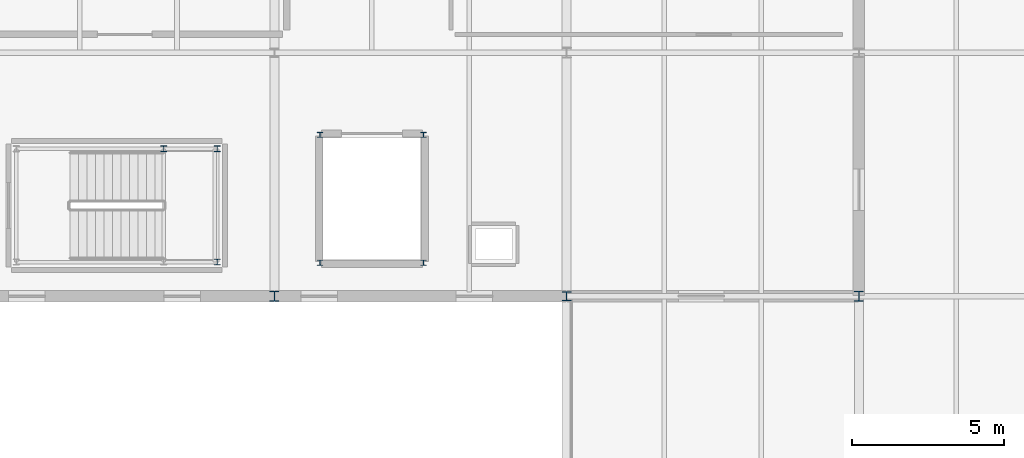
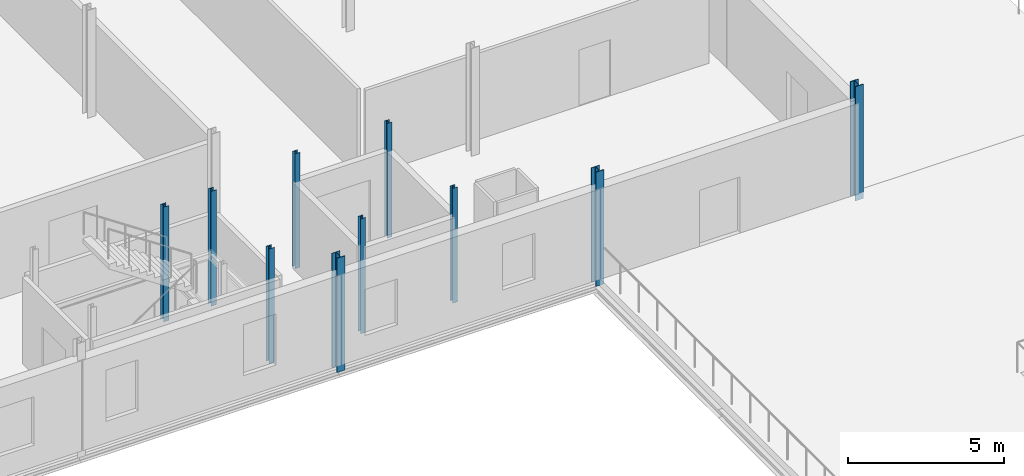
# One storey, part 16 of 73: 10 columns.
"""IFC4 building model written with IfcOpenShell, lengths in metres."""

from ifc_helpers import new_model, si_unit, direction, frame, origin, origin_2d, place, context, subcontext, project, spatial, i_section, extrude, material, material_profile, profile_set, type_object, element, save


model = new_model("IFC4")

# Units and contexts
model_context = context("Model", 3, precision=1e-05, world=origin(), true_north=direction((0.0, 1.0)))
body_context = subcontext(model_context, "Body", "Model", "MODEL_VIEW")
ifc_project = project(units=[si_unit("LENGTHUNIT", "METRE"), si_unit("AREAUNIT", "SQUARE_METRE"), si_unit("VOLUMEUNIT", "CUBIC_METRE"), si_unit("PLANEANGLEUNIT", "RADIAN"), si_unit("MASSUNIT", "GRAM", prefix="KILO")], contexts=[model_context])

# Site, building, storey
site_placement = place(None, origin())
site = spatial("IfcSite", under=ifc_project, at=site_placement, CompositionType="ELEMENT")
building_placement = place(site_placement, origin())
building = spatial("IfcBuilding", under=site, at=building_placement, Name="Alderhovde Museum", CompositionType="ELEMENT")
storey_placement = place(building_placement, frame((0.0, 0.0, 12.89990234375)))
storey = spatial("IfcBuildingStorey", under=building, at=storey_placement, Name="L03", CompositionType="ELEMENT", Elevation=12.89990234375)

# Columns
ifc_material_1 = material(Name="Steel S355J2", Category="steel")
ifc_material_profile_1 = material_profile(ifc_material_1, i_section(OverallWidth=0.179931640625, OverallDepth=0.1708984375, WebThickness=0.006103515625, FlangeThickness=0.009521484375, FilletRadius=0.014892578125, at=origin_2d()), Name="HEA 180")
ifc_profile_set_1 = profile_set([ifc_material_profile_1], Name="Steel S355J2")
column_type_1 = type_object("IfcColumnType", Name="COL-HEA180", PredefinedType="COLUMN", material=ifc_profile_set_1)
for number, where, z_axis, x_axis, name in (
    (1, (135.89990234375, 73.10009765625, 0.0), (0.0, 0.0, 1.0), (1.0, 0.0, 0.0), "L03 Lift GL-01 Shaft Column 1"),
    (2, (139.300048828125, 73.10009765625, 0.0), (0.0, 0.0, 1.0), (1.0, 0.0, 0.0), "L03 Lift GL-01 Shaft Column 2"),
    (3, (139.300048828125, 77.300048828125, 0.0), (0.0, 0.0, 1.0), (1.0, 0.0, 0.0), "L03 Lift GL-01 Shaft Column 3"),
    (4, (135.89990234375, 77.300048828125, 0.0), (0.0, 0.0, 1.0), (1.0, 0.0, 0.0), "L03 Lift GL-01 Shaft Column 4"),
):
    element("IfcColumn", number, at=place(storey_placement, frame(where, z_axis=z_axis, x_axis=x_axis)), inside=storey, type_object=column_type_1, Name=name, PredefinedType="COLUMN", context=body_context, shape_type="SweptSolid", body=[
        extrude(i_section(OverallWidth=0.179931640625, OverallDepth=0.1708984375, WebThickness=0.006103515625, FlangeThickness=0.009521484375, FilletRadius=0.014892578125, at=origin_2d()), origin(), (0.0, 0.0, 1.0), 4.5),
    ])
ifc_material_2 = material(Name="Steel S355J2", Category="steel")
ifc_material_profile_2 = material_profile(ifc_material_2, i_section(OverallWidth=0.199951171875, OverallDepth=0.18994140625, WebThickness=0.006591796875, FlangeThickness=0.010009765625, FilletRadius=0.01806640625, at=origin_2d()), Name="HEA 200")
ifc_profile_set_2 = profile_set([ifc_material_profile_2], Name="Steel S355J2")
column_type_2 = type_object("IfcColumnType", Name="COL-HEA200", PredefinedType="COLUMN", material=ifc_profile_set_2)
for number, where, z_axis, x_axis, name in (
    (5, (132.52001953125, 73.1201171875, 0.0), (0.0, 0.0, 1.0), (1.0, 0.0, 0.0), "L03 Stair ST4 Shaft Column 2"),
    (6, (132.52001953125, 76.840087890625, 0.0), (0.0, 0.0, 1.0), (1.0, 0.0, 0.0), "L03 Stair ST4 Shaft Column 3"),
    (7, (130.760009765625, 76.840087890625, 0.0), (0.0, 0.0, 1.0), (1.0, 0.0, 0.0), "L03 Stair ST4 Shaft Column 6"),
):
    element("IfcColumn", number, at=place(storey_placement, frame(where, z_axis=z_axis, x_axis=x_axis)), inside=storey, type_object=column_type_2, Name=name, PredefinedType="COLUMN", context=body_context, shape_type="SweptSolid", body=[
        extrude(i_section(OverallWidth=0.199951171875, OverallDepth=0.18994140625, WebThickness=0.006591796875, FlangeThickness=0.010009765625, FilletRadius=0.01806640625, at=origin_2d()), origin(), (0.0, 0.0, 1.0), 4.5),
    ])
ifc_material_3 = material(Name="Steel S355J2", Category="steel")
ifc_material_profile_3 = material_profile(ifc_material_3, i_section(OverallWidth=0.300048828125, OverallDepth=0.300048828125, WebThickness=0.010986328125, FlangeThickness=0.01904296875, FilletRadius=0.027099609375, at=origin_2d()), Name="HEB 300")
ifc_profile_set_3 = profile_set([ifc_material_profile_3], Name="Steel S355J2")
column_type_3 = type_object("IfcColumnType", Name="COL-HEB300", PredefinedType="COLUMN", material=ifc_profile_set_3)
column_placement = place(storey_placement, frame((144.0, 72.0, -0.260009765625), z_axis=(0.0, 0.0, 1.0), x_axis=(1.0, 0.0, 0.0)))
element("IfcColumn", 8, at=column_placement, inside=storey, type_object=column_type_3, Name="L03 Column (144.0, 72.0)", PredefinedType="COLUMN", context=body_context, shape_type="SweptSolid", body=[
    extrude(i_section(OverallWidth=0.300048828125, OverallDepth=0.300048828125, WebThickness=0.010986328125, FlangeThickness=0.01904296875, FilletRadius=0.027099609375, at=origin_2d()), origin(), (0.0, 0.0, 1.0), 4.480224609375),
])
ifc_material_4 = material(Name="Steel S355J2", Category="steel")
ifc_material_profile_4 = material_profile(ifc_material_4, i_section(OverallWidth=0.300048828125, OverallDepth=0.340087890625, WebThickness=0.011962890625, FlangeThickness=0.021484375, FilletRadius=0.027099609375, at=origin_2d()), Name="HEB 340")
ifc_profile_set_4 = profile_set([ifc_material_profile_4], Name="Steel S355J2")
column_type_4 = type_object("IfcColumnType", Name="COL-HEB340", PredefinedType="COLUMN", material=ifc_profile_set_4)
for number, where, z_axis, x_axis, name in (
    (9, (134.39990234375, 72.0, -0.260009765625), (0.0, 0.0, 1.0), (1.0, 0.0, 0.0), "L03 Column (134.4, 72.0)"),
    (10, (153.60009765625, 72.0, -0.260009765625), (0.0, 0.0, 1.0), (1.0, 0.0, 0.0), "L03 Column (153.6, 72.0)"),
):
    element("IfcColumn", number, at=place(storey_placement, frame(where, z_axis=z_axis, x_axis=x_axis)), inside=storey, type_object=column_type_4, Name=name, PredefinedType="COLUMN", context=body_context, shape_type="SweptSolid", body=[
        extrude(i_section(OverallWidth=0.300048828125, OverallDepth=0.340087890625, WebThickness=0.011962890625, FlangeThickness=0.021484375, FilletRadius=0.027099609375, at=origin_2d()), origin(), (0.0, 0.0, 1.0), 4.480224609375),
    ])

save(model, "model.ifc")
